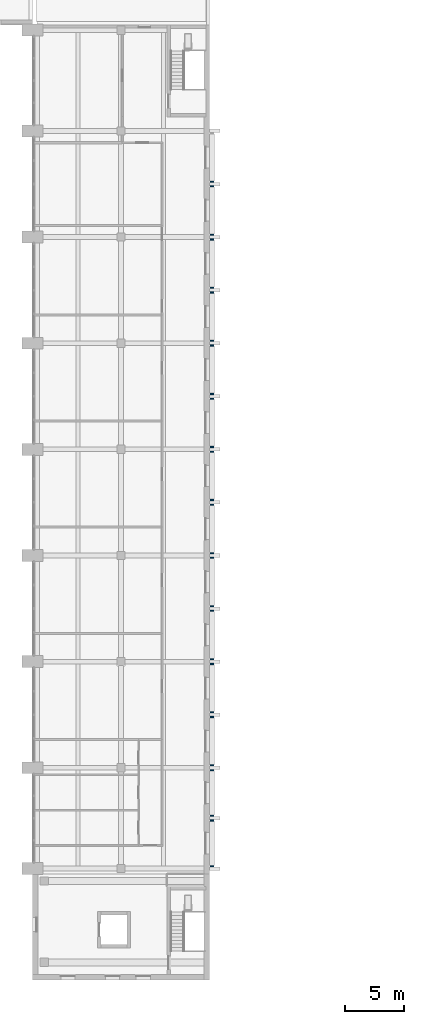
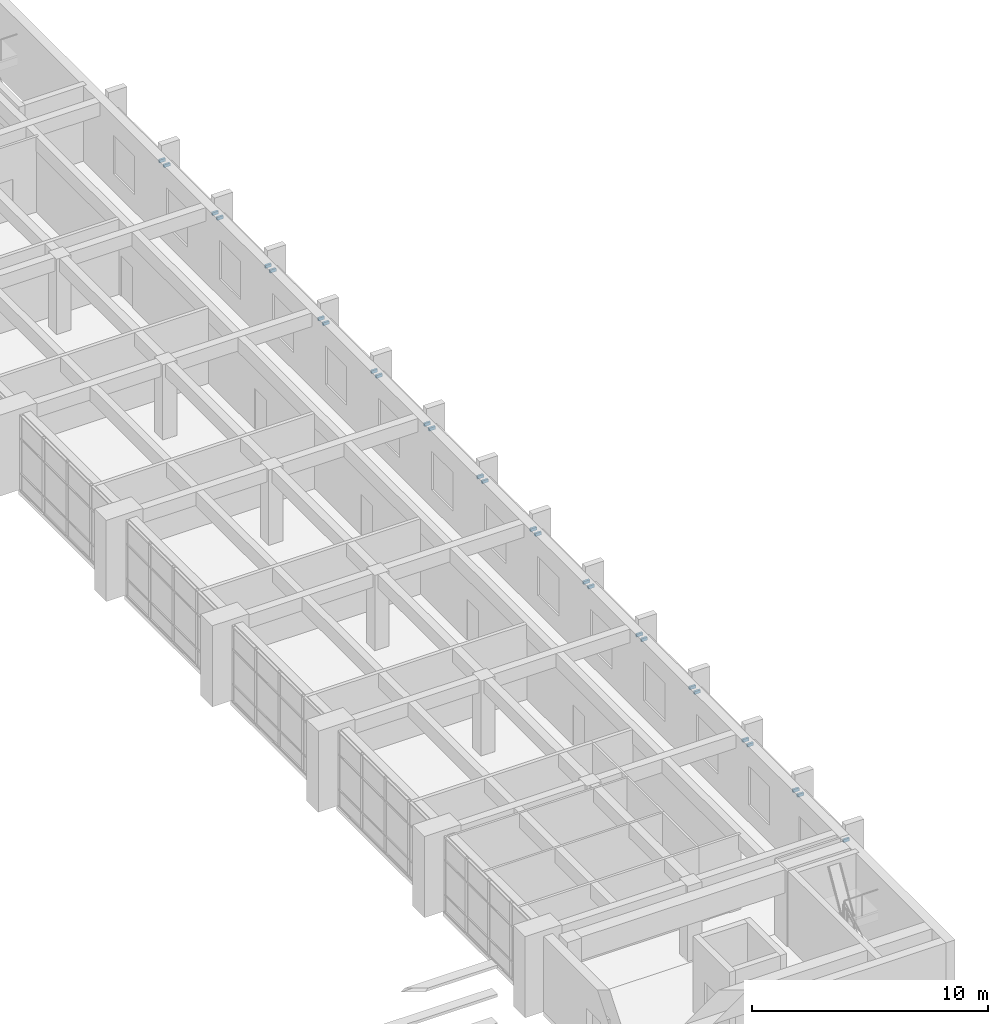
# One storey, part 38 of 43: 27 discrete accessories.
"""IFC4 building model written with IfcOpenShell, lengths in metres."""

from ifc_helpers import new_model, si_unit, direction, frame, origin, origin_2d, place, context, subcontext, project, spatial, rectangle, extrude, material, type_object, element, save


model = new_model("IFC4")

# Units and contexts
model_context = context("Model", 3, precision=1e-05, world=origin(), true_north=direction((0.0, 1.0)))
body_context = subcontext(model_context, "Body", "Model", "MODEL_VIEW")
ifc_project = project(units=[si_unit("LENGTHUNIT", "METRE"), si_unit("AREAUNIT", "SQUARE_METRE"), si_unit("VOLUMEUNIT", "CUBIC_METRE"), si_unit("PLANEANGLEUNIT", "RADIAN"), si_unit("MASSUNIT", "GRAM", prefix="KILO")], contexts=[model_context])

# Site, building, storey
site_placement = place(None, origin())
site = spatial("IfcSite", under=ifc_project, at=site_placement, CompositionType="ELEMENT")
building_placement = place(site_placement, origin())
building = spatial("IfcBuilding", under=site, at=building_placement, Name="Elmora Arch Market Hall", CompositionType="ELEMENT")
storey_placement = place(building_placement, frame((0.0, 0.0, 10.199951171875)))
storey = spatial("IfcBuildingStorey", under=building, at=storey_placement, Name="L02", CompositionType="ELEMENT", Elevation=10.199951171875)

# Discrete accessories
ifc_material = material(Name="Steel ASTM A653 galvanised", Category="steel")
discrete_accessory_type = type_object("IfcDiscreteAccessoryType", Name="Bracket plate 100x300x150", PredefinedType="BRACKET", material=ifc_material)
for number, where, z_axis, x_axis, name in (
    (1, (58.22509765625, 27.64990234375, 3.0751953125), (0.0, 0.0, 1.0), (1.0, 0.0, 0.0), "Bracket HOOD-E-1-L02"),
    (2, (58.22509765625, 31.52490234375, 3.0751953125), (0.0, 0.0, 1.0), (1.0, 0.0, 0.0), "Bracket HOOD-E-1-L02"),
    (3, (58.22509765625, 31.925048828125, 3.0751953125), (0.0, 0.0, 1.0), (1.0, 0.0, 0.0), "Bracket HOOD-E-2-L02"),
    (4, (58.22509765625, 35.800048828125, 3.0751953125), (0.0, 0.0, 1.0), (1.0, 0.0, 0.0), "Bracket HOOD-E-2-L02"),
    (5, (58.22509765625, 36.199951171875, 3.0751953125), (0.0, 0.0, 1.0), (1.0, 0.0, 0.0), "Bracket HOOD-E-3-L02"),
    (6, (58.22509765625, 40.300048828125, 3.0751953125), (0.0, 0.0, 1.0), (1.0, 0.0, 0.0), "Bracket HOOD-E-3-L02"),
    (7, (58.22509765625, 40.699951171875, 3.0751953125), (0.0, 0.0, 1.0), (1.0, 0.0, 0.0), "Bracket HOOD-E-4-L02"),
    (8, (58.22509765625, 44.800048828125, 3.0751953125), (0.0, 0.0, 1.0), (1.0, 0.0, 0.0), "Bracket HOOD-E-4-L02"),
    (9, (58.22509765625, 45.199951171875, 3.0751953125), (0.0, 0.0, 1.0), (1.0, 0.0, 0.0), "Bracket HOOD-E-5-L02"),
    (10, (58.22509765625, 49.300048828125, 3.0751953125), (0.0, 0.0, 1.0), (1.0, 0.0, 0.0), "Bracket HOOD-E-5-L02"),
    (11, (58.22509765625, 49.699951171875, 3.0751953125), (0.0, 0.0, 1.0), (1.0, 0.0, 0.0), "Bracket HOOD-E-6-L02"),
    (12, (58.22509765625, 53.800048828125, 3.0751953125), (0.0, 0.0, 1.0), (1.0, 0.0, 0.0), "Bracket HOOD-E-6-L02"),
    (13, (58.22509765625, 54.199951171875, 3.0751953125), (0.0, 0.0, 1.0), (1.0, 0.0, 0.0), "Bracket HOOD-E-7-L02"),
    (14, (58.22509765625, 58.300048828125, 3.0751953125), (0.0, 0.0, 1.0), (1.0, 0.0, 0.0), "Bracket HOOD-E-7-L02"),
    (15, (58.22509765625, 58.699951171875, 3.0751953125), (0.0, 0.0, 1.0), (1.0, 0.0, 0.0), "Bracket HOOD-E-8-L02"),
    (16, (58.22509765625, 62.800048828125, 3.0751953125), (0.0, 0.0, 1.0), (1.0, 0.0, 0.0), "Bracket HOOD-E-8-L02"),
    (17, (58.22509765625, 63.199951171875, 3.0751953125), (0.0, 0.0, 1.0), (1.0, 0.0, 0.0), "Bracket HOOD-E-9-L02"),
    (18, (58.22509765625, 67.300048828125, 3.0751953125), (0.0, 0.0, 1.0), (1.0, 0.0, 0.0), "Bracket HOOD-E-9-L02"),
    (19, (58.22509765625, 67.699951171875, 3.0751953125), (0.0, 0.0, 1.0), (1.0, 0.0, 0.0), "Bracket HOOD-E-10-L02"),
    (20, (58.22509765625, 71.800048828125, 3.0751953125), (0.0, 0.0, 1.0), (1.0, 0.0, 0.0), "Bracket HOOD-E-10-L02"),
    (21, (58.22509765625, 72.199951171875, 3.0751953125), (0.0, 0.0, 1.0), (1.0, 0.0, 0.0), "Bracket HOOD-E-11-L02"),
    (22, (58.22509765625, 76.300048828125, 3.0751953125), (0.0, 0.0, 1.0), (1.0, 0.0, 0.0), "Bracket HOOD-E-11-L02"),
    (23, (58.22509765625, 76.699951171875, 3.0751953125), (0.0, 0.0, 1.0), (1.0, 0.0, 0.0), "Bracket HOOD-E-12-L02"),
    (24, (58.22509765625, 80.800048828125, 3.0751953125), (0.0, 0.0, 1.0), (1.0, 0.0, 0.0), "Bracket HOOD-E-12-L02"),
    (25, (58.22509765625, 81.199951171875, 3.0751953125), (0.0, 0.0, 1.0), (1.0, 0.0, 0.0), "Bracket HOOD-E-13-L02"),
    (26, (58.22509765625, 85.300048828125, 3.0751953125), (0.0, 0.0, 1.0), (1.0, 0.0, 0.0), "Bracket HOOD-E-13-L02"),
    (27, (58.22509765625, 85.699951171875, 3.0751953125), (0.0, 0.0, 1.0), (1.0, 0.0, 0.0), "Bracket HOOD-E-14-L02"),
):
    element("IfcDiscreteAccessory", number, at=place(storey_placement, frame(where, z_axis=z_axis, x_axis=x_axis)), inside=storey, type_object=discrete_accessory_type, Name=name, PredefinedType="BRACKET", context=body_context, shape_type="SweptSolid", body=[
        extrude(rectangle(XDim=0.300048828125, YDim=0.10009765625, at=origin_2d()), origin(), (0.0, 0.0, 1.0), 0.14990234375),
    ])

save(model, "model.ifc")
